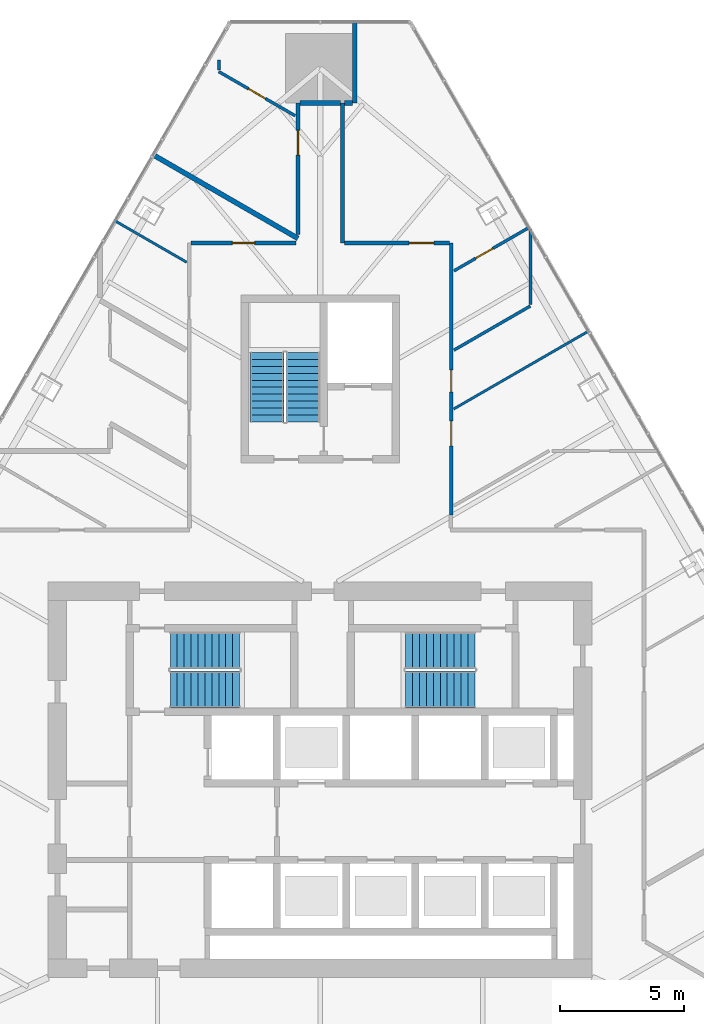
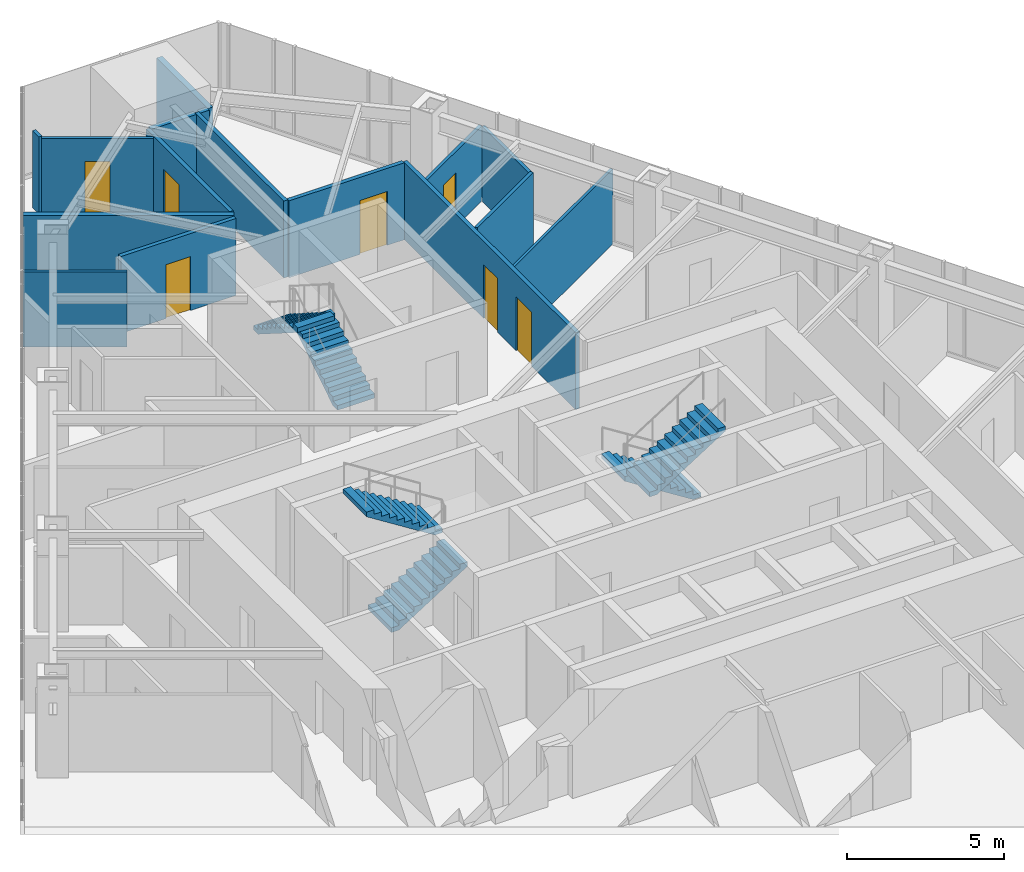
# One storey, part 22 of 24: 16 walls, 7 doors, 6 stair flights, 7 openings, 3 elements without a shape of their own.
"""IFC4 building model written with IfcOpenShell, lengths in metres."""

from ifc_helpers import new_model, si_unit, direction, frame, frame_2d, origin, place, context, subcontext, project, spatial, polyline, rectangle, outline, extrude, material, layer, layer_set, type_object, element, fill, aggregate, save


model = new_model("IFC4")

# Units and contexts
model_context = context("Model", 3, precision=1e-05, world=origin(), true_north=direction((0.0, 1.0)))
body_context = subcontext(model_context, "Body", "Model", "MODEL_VIEW")
ifc_project = project(units=[si_unit("LENGTHUNIT", "METRE"), si_unit("AREAUNIT", "SQUARE_METRE"), si_unit("VOLUMEUNIT", "CUBIC_METRE"), si_unit("PLANEANGLEUNIT", "RADIAN"), si_unit("MASSUNIT", "GRAM", prefix="KILO")], contexts=[model_context])

# Site, building, storey
site_placement = place(None, origin())
site = spatial("IfcSite", under=ifc_project, at=site_placement, CompositionType="ELEMENT")
building_placement = place(site_placement, origin())
building = spatial("IfcBuilding", under=site, at=building_placement, Name="Firuza Gate Tower and Library", CompositionType="ELEMENT")
storey_placement = place(building_placement, frame((0.0, 0.0, 237.699951171875)))
storey = spatial("IfcBuildingStorey", under=building, at=storey_placement, Name="L56", CompositionType="ELEMENT", Elevation=237.699951171875)

# Wall, opening, door
ifc_material_1 = material(Name="Gypsum board partition")
ifc_layer_1 = layer(ifc_material_1, 0.14990234375)
ifc_layer_set_1 = layer_set([ifc_layer_1], Name="Corridor wall 150 double board on steel studs")
wall_type_1 = type_object("IfcWallType", Name="Corridor wall 150 double board on steel studs", PredefinedType="PARTITIONING", material=ifc_layer_set_1)
wall_1_placement = place(storey_placement, frame((69.775390625, 96.699951171875, 0.0), z_axis=(0.0, 0.0, 1.0), x_axis=(1.0, 0.0, 0.0)))
wall_1 = element("IfcWall", 1, at=wall_1_placement, inside=storey, type_object=wall_type_1, Name="f:L56:w016", PredefinedType="PARTITIONING", context=body_context, shape_type="SweptSolid", body=[
    extrude(rectangle(XDim=4.24951171875, YDim=0.14990234375, at=frame_2d((2.124755859375, 0.0))), origin(), (0.0, 0.0, 1.0), 3.0),
])
opening_1_placement = place(wall_1_placement, frame((1.6748046875, 0.0, 0.0)))
opening_1 = element("IfcOpeningElement", 2, at=opening_1_placement, cuts=wall_1, Name="Opening L56-11", PredefinedType="OPENING", context=body_context, shape_type="SweptSolid", body=[
    extrude(rectangle(XDim=0.89990234375, YDim=2.10009765625, at=frame_2d((0.449951171875, 1.050048828125))), frame((0.0, 0.0849609375, 0.0), z_axis=(0.0, -1.0, 0.0), x_axis=(1.0, 0.0, 0.0)), (0.0, 0.0, 1.0), 0.169921875),
])
ifc_material_2 = material(Name="Steel door and timber leaf", Category="steel")
door_type_1 = type_object("IfcDoorType", Name="Fire door 900 x 2100 steel frame, timber leaf", OperationType="NOTDEFINED", PredefinedType="DOOR", material=ifc_material_2)
door_1_placement = place(opening_1_placement, origin())
door_1 = element("IfcDoor", 3, at=door_1_placement, inside=storey, type_object=door_type_1, Name="f:L56:d011", OperationType="SINGLE_SWING_LEFT", OverallHeight=2.10009765625, OverallWidth=0.89990234375, PredefinedType="DOOR", context=body_context, shape_type="SweptSolid", body=[
    extrude(rectangle(XDim=0.89990234375, YDim=2.10009765625, at=frame_2d((0.449951171875, 1.050048828125))), frame((0.0, 0.02490234375, 0.0), z_axis=(0.0, -1.0, 0.0), x_axis=(1.0, 0.0, 0.0)), (0.0, 0.0, 1.0), 0.050048828125),
])
fill(opening_1, door_1)

wall_2_placement = place(storey_placement, frame((75.97509765625, 96.699951171875, 0.0), z_axis=(0.0, 0.0, 1.0), x_axis=(1.0, 0.0, 0.0)))
wall_2 = element("IfcWall", 4, at=wall_2_placement, inside=storey, type_object=wall_type_1, Name="f:L56:w017", PredefinedType="PARTITIONING", context=body_context, shape_type="SweptSolid", body=[
    extrude(rectangle(XDim=4.24951171875, YDim=0.14990234375, at=frame_2d((2.124755859375, 0.0))), origin(), (0.0, 0.0, 1.0), 3.0),
])
opening_2_placement = place(wall_2_placement, frame((2.6220703125, 0.0, 0.0)))
opening_2 = element("IfcOpeningElement", 5, at=opening_2_placement, cuts=wall_2, Name="Opening L56-12", PredefinedType="OPENING", context=body_context, shape_type="SweptSolid", body=[
    extrude(rectangle(XDim=1.0, YDim=2.10009765625, at=frame_2d((0.5, 1.050048828125))), frame((0.0, 0.0849609375, 0.0), z_axis=(0.0, -1.0, 0.0), x_axis=(1.0, 0.0, 0.0)), (0.0, 0.0, 1.0), 0.169921875),
])
ifc_material_3 = material(Name="Steel door and timber leaf", Category="steel")
door_type_2 = type_object("IfcDoorType", Name="Fire door 1000 x 2100 steel frame, timber leaf", OperationType="NOTDEFINED", PredefinedType="DOOR", material=ifc_material_3)
door_2_placement = place(opening_2_placement, origin())
door_2 = element("IfcDoor", 6, at=door_2_placement, inside=storey, type_object=door_type_2, Name="f:L56:d012", OperationType="SINGLE_SWING_LEFT", OverallHeight=2.10009765625, OverallWidth=1.0, PredefinedType="DOOR", context=body_context, shape_type="SweptSolid", body=[
    extrude(rectangle(XDim=1.0, YDim=2.10009765625, at=frame_2d((0.5, 1.050048828125))), frame((0.0, 0.02490234375, 0.0), z_axis=(0.0, -1.0, 0.0), x_axis=(1.0, 0.0, 0.0)), (0.0, 0.0, 1.0), 0.050048828125),
])
fill(opening_2, door_2)

# Wall, openings, doors
wall_3_placement = place(storey_placement, frame((80.300048828125, 96.699462890625, 0.0), z_axis=(0.0, 0.0, 1.0), x_axis=(0.0, -1.0, 0.0)))
wall_3 = element("IfcWall", 7, at=wall_3_placement, inside=storey, type_object=wall_type_1, Name="f:L56:w045", PredefinedType="PARTITIONING", context=body_context, shape_type="SweptSolid", body=[
    extrude(rectangle(XDim=10.9990234375, YDim=0.14990234375, at=frame_2d((5.49951171875, 0.0))), origin(), (0.0, 0.0, 1.0), 3.0),
])
opening_3_placement = place(wall_3_placement, frame((5.12939453125, 0.0, 0.0)))
opening_3 = element("IfcOpeningElement", 8, at=opening_3_placement, cuts=wall_3, Name="Opening L56-24", PredefinedType="OPENING", context=body_context, shape_type="SweptSolid", body=[
    extrude(rectangle(XDim=0.89990234375, YDim=2.10009765625, at=frame_2d((0.449951171875, 1.050048828125))), frame((0.0, 0.0849609375, 0.0), z_axis=(0.0, -1.0, 0.0), x_axis=(1.0, 0.0, 0.0)), (0.0, 0.0, 1.0), 0.169921875),
])
opening_4_placement = place(wall_3_placement, frame((7.2021484375, 0.0, 0.0)))
opening_4 = element("IfcOpeningElement", 9, at=opening_4_placement, cuts=wall_3, Name="Opening L56-25", PredefinedType="OPENING", context=body_context, shape_type="SweptSolid", body=[
    extrude(rectangle(XDim=1.0, YDim=2.10009765625, at=frame_2d((0.5, 1.050048828125))), frame((0.0, 0.0849609375, 0.0), z_axis=(0.0, -1.0, 0.0), x_axis=(1.0, 0.0, 0.0)), (0.0, 0.0, 1.0), 0.169921875),
])
door_3_placement = place(opening_4_placement, origin())
door_3 = element("IfcDoor", 10, at=door_3_placement, inside=storey, type_object=door_type_2, Name="f:L56:d025", OperationType="SINGLE_SWING_LEFT", OverallHeight=2.10009765625, OverallWidth=1.0, PredefinedType="DOOR", context=body_context, shape_type="SweptSolid", body=[
    extrude(rectangle(XDim=1.0, YDim=2.10009765625, at=frame_2d((0.5, 1.050048828125))), frame((0.0, 0.02490234375, 0.0), z_axis=(0.0, -1.0, 0.0), x_axis=(1.0, 0.0, 0.0)), (0.0, 0.0, 1.0), 0.050048828125),
])
fill(opening_4, door_3)
door_4_placement = place(opening_3_placement, origin())
door_4 = element("IfcDoor", 11, at=door_4_placement, inside=storey, type_object=door_type_1, Name="f:L56:d024", OperationType="SINGLE_SWING_LEFT", OverallHeight=2.10009765625, OverallWidth=0.89990234375, PredefinedType="DOOR", context=body_context, shape_type="SweptSolid", body=[
    extrude(rectangle(XDim=0.89990234375, YDim=2.10009765625, at=frame_2d((0.449951171875, 1.050048828125))), frame((0.0, 0.02490234375, 0.0), z_axis=(0.0, -1.0, 0.0), x_axis=(1.0, 0.0, 0.0)), (0.0, 0.0, 1.0), 0.050048828125),
])
fill(opening_3, door_4)

# Wall
wall_4_placement = place(storey_placement, frame((75.89990234375, 96.699951171875, 0.0), z_axis=(0.0, 0.0, 1.0), x_axis=(0.0, 1.0, 0.0)))
element("IfcWall", 12, at=wall_4_placement, inside=storey, type_object=wall_type_1, Name="f:L56:w049", PredefinedType="PARTITIONING", context=body_context, shape_type="SweptSolid", body=[
    extrude(rectangle(XDim=5.672607421875, YDim=0.14990234375, at=frame_2d((2.83642578125, 0.0))), origin(), (0.0, 0.0, 1.0), 3.0),
])

# Wall, opening, door
wall_5_placement = place(storey_placement, frame((74.10009765625, 97.050048828125, 0.0), z_axis=(0.0, 0.0, 1.0), x_axis=(0.0, 1.0, 0.0)))
wall_5 = element("IfcWall", 13, at=wall_5_placement, inside=storey, type_object=wall_type_1, Name="f:L56:w052", PredefinedType="PARTITIONING", context=body_context, shape_type="SweptSolid", body=[
    extrude(rectangle(XDim=5.322021484375, YDim=0.14990234375, at=frame_2d((2.6611328125, 0.0))), origin(), (0.0, 0.0, 1.0), 3.0),
])
opening_5_placement = place(wall_5_placement, frame((3.208740234375, 0.0, 0.0)))
opening_5 = element("IfcOpeningElement", 14, at=opening_5_placement, cuts=wall_5, Name="Opening L56-26", PredefinedType="OPENING", context=body_context, shape_type="SweptSolid", body=[
    extrude(rectangle(XDim=1.0, YDim=2.10009765625, at=frame_2d((0.5, 1.050048828125))), frame((0.0, 0.0849609375, 0.0), z_axis=(0.0, -1.0, 0.0), x_axis=(1.0, 0.0, 0.0)), (0.0, 0.0, 1.0), 0.169921875),
])
door_5_placement = place(opening_5_placement, origin())
door_5 = element("IfcDoor", 15, at=door_5_placement, inside=storey, type_object=door_type_2, Name="f:L56:d026", OperationType="SINGLE_SWING_LEFT", OverallHeight=2.10009765625, OverallWidth=1.0, PredefinedType="DOOR", context=body_context, shape_type="SweptSolid", body=[
    extrude(rectangle(XDim=1.0, YDim=2.10009765625, at=frame_2d((0.5, 1.050048828125))), frame((0.0, 0.02490234375, 0.0), z_axis=(0.0, -1.0, 0.0), x_axis=(1.0, 0.0, 0.0)), (0.0, 0.0, 1.0), 0.050048828125),
])
fill(opening_5, door_5)

# Walls
ifc_material_4 = material(Name="Gypsum board partition")
ifc_layer_2 = layer(ifc_material_4, 0.199951171875)
ifc_layer_set_2 = layer_set([ifc_layer_2], Name="Demising wall 200 acoustic double stud")
wall_type_2 = type_object("IfcWallType", Name="Demising wall 200 acoustic double stud", PredefinedType="PARTITIONING", material=ifc_layer_set_2)
wall_6_placement = place(storey_placement, frame((74.175537109375, 102.373046875, 0.0), z_axis=(0.0, 0.0, 1.0), x_axis=(1.0, 0.0, 0.0)))
element("IfcWall", 16, at=wall_6_placement, inside=storey, type_object=wall_type_2, Name="f:L56:w018", PredefinedType="PARTITIONING", context=body_context, shape_type="SweptSolid", body=[
    extrude(rectangle(XDim=1.6494140625, YDim=0.199951171875, at=frame_2d((0.82470703125, 0.0))), origin(), (0.0, 0.0, 1.0), 2.9970703125),
])
wall_7_placement = place(storey_placement, frame((76.39990234375, 102.373046875, 0.0), z_axis=(0.0, 0.0, 1.0), x_axis=(0.0, 1.0, 0.0)))
element("IfcWall", 17, at=wall_7_placement, inside=storey, type_object=wall_type_2, Name="f:L56:w048", PredefinedType="PARTITIONING", context=body_context, shape_type="SweptSolid", body=[
    extrude(rectangle(XDim=3.259521484375, YDim=0.199951171875, at=frame_2d((1.6298828125, 0.0))), origin(), (0.0, 0.0, 1.0), 3.0),
])
wall_8_placement = place(storey_placement, frame((74.099853515625, 96.889892578125, 0.0), z_axis=(0.0, 0.0, 1.0), x_axis=(-0.866036585879, 0.499980631543, 0.0)))
element("IfcWall", 18, at=wall_8_placement, inside=storey, type_object=wall_type_2, Name="f:L56:w074", PredefinedType="PARTITIONING", context=body_context, shape_type="SweptSolid", body=[
    extrude(rectangle(XDim=6.739501953125, YDim=0.199951171875, at=frame_2d((3.36962890625, 0.0))), origin(), (0.0, 0.0, 1.0), 3.0),
])
wall_9_placement = place(storey_placement, frame((75.97509765625, 102.373046875, 0.0), z_axis=(0.0, 0.0, 1.0), x_axis=(1.0, 0.0, 0.0)))
element("IfcWall", 19, at=wall_9_placement, inside=storey, type_object=wall_type_2, Name="f:L56:w095", PredefinedType="PARTITIONING", context=body_context, shape_type="SweptSolid", body=[
    extrude(rectangle(XDim=0.324462890625, YDim=0.199951171875, at=frame_2d((0.162109375, 0.0))), origin(), (0.0, 0.0, 1.0), 3.0),
])
ifc_material_5 = material(Name="Gypsum board partition")
ifc_layer_3 = layer(ifc_material_5, 0.10009765625)
ifc_layer_set_3 = layer_set([ifc_layer_3], Name="Partition 100 gypsum board on steel studs")
wall_type_3 = type_object("IfcWallType", Name="Partition 100 gypsum board on steel studs", PredefinedType="PARTITIONING", material=ifc_layer_set_3)
wall_10_placement = place(storey_placement, frame((80.40087890625, 89.990966796875, 0.0), z_axis=(0.0, 0.0, 1.0), x_axis=(0.86602790099, 0.499995674689, 0.0)))
element("IfcWall", 20, at=wall_10_placement, inside=storey, type_object=wall_type_3, Name="f:L56:w032", PredefinedType="PARTITIONING", context=body_context, shape_type="SweptSolid", body=[
    extrude(rectangle(XDim=6.291015625, YDim=0.10009765625, at=frame_2d((3.1455078125, 0.0))), origin(), (0.0, 0.0, 1.0), 2.922119140625),
])
wall_11_placement = place(storey_placement, frame((69.59912109375, 95.92724609375, 0.0), z_axis=(0.0, 0.0, 1.0), x_axis=(-0.866019199568, 0.500010745865, 0.0)))
element("IfcWall", 21, at=wall_11_placement, inside=storey, type_object=wall_type_3, Name="f:L56:w075", PredefinedType="PARTITIONING", context=body_context, shape_type="SweptSolid", body=[
    extrude(rectangle(XDim=3.3232421875, YDim=0.10009765625, at=frame_2d((1.66162109375, 0.0))), origin(), (0.0, 0.0, 1.0), 2.922119140625),
])
ifc_material_6 = material(Name="Gypsum board partition")
ifc_layer_4 = layer(ifc_material_6, 0.1201171875)
ifc_layer_set_4 = layer_set([ifc_layer_4], Name="Wet-area partition 120 moisture-resistant board")
wall_type_4 = type_object("IfcWallType", Name="Wet-area partition 120 moisture-resistant board", PredefinedType="PARTITIONING", material=ifc_layer_set_4)
wall_12_placement = place(storey_placement, frame((80.40966796875, 92.3701171875, 0.0), z_axis=(0.0, 0.0, 1.0), x_axis=(0.866028357664, 0.499994883695, 0.0)))
element("IfcWall", 22, at=wall_12_placement, inside=storey, type_object=wall_type_4, Name="f:L56:w033", PredefinedType="PARTITIONING", context=body_context, shape_type="SweptSolid", body=[
    extrude(rectangle(XDim=3.568359375, YDim=0.1201171875, at=frame_2d((1.7841796875, 0.0))), origin(), (0.0, 0.0, 1.0), 3.0),
])

# Wall, opening, door
wall_13_placement = place(storey_placement, frame((83.433349609375, 97.3212890625, 0.0), z_axis=(0.0, 0.0, 1.0), x_axis=(-0.866022549299, -0.50000494408, 0.0)))
wall_13 = element("IfcWall", 23, at=wall_13_placement, inside=storey, type_object=wall_type_4, Name="f:L56:w034", PredefinedType="PARTITIONING", context=body_context, shape_type="SweptSolid", body=[
    extrude(rectangle(XDim=3.4912109375, YDim=0.1201171875, at=frame_2d((1.74560546875, 0.0))), origin(), (0.0, 0.0, 1.0), 2.922119140625),
])
opening_6_placement = place(wall_13_placement, frame((1.675537109375, 0.0, 0.0)))
opening_6 = element("IfcOpeningElement", 24, at=opening_6_placement, cuts=wall_13, Name="Opening L56-21", PredefinedType="OPENING", context=body_context, shape_type="SweptSolid", body=[
    extrude(rectangle(XDim=0.800048828125, YDim=2.10009765625, at=frame_2d((0.39990234375, 1.050048828125))), frame((0.0, 0.070068359375, 0.0), z_axis=(0.0, -1.0, 0.0), x_axis=(1.0, 0.0, 0.0)), (0.0, 0.0, 1.0), 0.14013671875),
])
ifc_material_7 = material(Name="Timber door", Category="wood")
door_type_3 = type_object("IfcDoorType", Name="Door 800 x 2100 timber leaf", OperationType="NOTDEFINED", PredefinedType="DOOR", material=ifc_material_7)
door_6_placement = place(opening_6_placement, origin())
door_6 = element("IfcDoor", 25, at=door_6_placement, inside=storey, type_object=door_type_3, Name="f:L56:d021", OperationType="SINGLE_SWING_LEFT", OverallHeight=2.10009765625, OverallWidth=0.800048828125, PredefinedType="DOOR", context=body_context, shape_type="SweptSolid", body=[
    extrude(rectangle(XDim=0.800048828125, YDim=2.10009765625, at=frame_2d((0.39990234375, 1.050048828125))), frame((0.0, 0.02490234375, 0.0), z_axis=(0.0, -1.0, 0.0), x_axis=(1.0, 0.0, 0.0)), (0.0, 0.0, 1.0), 0.050048828125),
])
fill(opening_6, door_6)

# Walls
wall_14_placement = place(storey_placement, frame((83.5, 94.223876953125, 0.0), z_axis=(0.0, 0.0, 1.0), x_axis=(0.0, 1.0, 0.0)))
element("IfcWall", 26, at=wall_14_placement, inside=storey, type_object=wall_type_4, Name="f:L56:w043", PredefinedType="PARTITIONING", context=body_context, shape_type="SweptSolid", body=[
    extrude(rectangle(XDim=3.02197265625, YDim=0.1201171875, at=frame_2d((1.510986328125, 0.0))), origin(), (0.0, 0.0, 1.0), 2.922119140625),
])
wall_15_placement = place(storey_placement, frame((70.89990234375, 103.703125, 0.0), z_axis=(0.0, 0.0, 1.0), x_axis=(0.0, 1.0, 0.0)))
element("IfcWall", 27, at=wall_15_placement, inside=storey, type_object=wall_type_4, Name="f:L56:w055", PredefinedType="PARTITIONING", context=body_context, shape_type="SweptSolid", body=[
    extrude(rectangle(XDim=0.4033203125, YDim=0.1201171875, at=frame_2d((0.20166015625, 0.0))), origin(), (0.0, 0.0, 1.0), 3.0),
])

# Wall, opening, door
wall_16_placement = place(storey_placement, frame((70.900146484375, 103.63427734375, 0.0), z_axis=(0.0, 0.0, 1.0), x_axis=(0.866028357664, -0.499994883695, 0.0)))
wall_16 = element("IfcWall", 28, at=wall_16_placement, inside=storey, type_object=wall_type_4, Name="f:L56:w073", PredefinedType="PARTITIONING", context=body_context, shape_type="SweptSolid", body=[
    extrude(rectangle(XDim=3.568359375, YDim=0.1201171875, at=frame_2d((1.7841796875, 0.0))), origin(), (0.0, 0.0, 1.0), 3.0),
])
opening_7_placement = place(wall_16_placement, frame((1.38427734375, 0.0, 0.0)))
opening_7 = element("IfcOpeningElement", 29, at=opening_7_placement, cuts=wall_16, Name="Opening L56-35", PredefinedType="OPENING", context=body_context, shape_type="SweptSolid", body=[
    extrude(rectangle(XDim=0.800048828125, YDim=2.10009765625, at=frame_2d((0.39990234375, 1.050048828125))), frame((0.0, 0.070068359375, 0.0), z_axis=(0.0, -1.0, 0.0), x_axis=(1.0, 0.0, 0.0)), (0.0, 0.0, 1.0), 0.14013671875),
])
door_7_placement = place(opening_7_placement, origin())
door_7 = element("IfcDoor", 30, at=door_7_placement, inside=storey, type_object=door_type_3, Name="f:L56:d035", OperationType="SINGLE_SWING_LEFT", OverallHeight=2.10009765625, OverallWidth=0.800048828125, PredefinedType="DOOR", context=body_context, shape_type="SweptSolid", body=[
    extrude(rectangle(XDim=0.800048828125, YDim=2.10009765625, at=frame_2d((0.39990234375, 1.050048828125))), frame((0.0, 0.02490234375, 0.0), z_axis=(0.0, -1.0, 0.0), x_axis=(1.0, 0.0, 0.0)), (0.0, 0.0, 1.0), 0.050048828125),
])
fill(opening_7, door_7)

# Stair, stair flights
ifc_material_8 = material(Name="Concrete C35/45", Category="concrete")
stair_type_1 = type_object("IfcStairType", Name="Exit stair ST16", PredefinedType="HALF_TURN_STAIR", material=ifc_material_8)
placement = place(storey_placement, origin())
stair_1 = element("IfcStair", 31, at=placement, inside=storey, type_object=stair_type_1, Name="L56 Stair ST3", PredefinedType="HALF_TURN_STAIR")
ifc_material_9 = material(Name="Concrete C35/45", Category="concrete")
stair_flight_type_1 = type_object("IfcStairFlightType", Name="Stair flight 11 risers 177.3 width 1370", PredefinedType="STRAIGHT", material=ifc_material_9)
stair_flight_1_placement = place(storey_placement, frame((74.31494140625, 89.469970703125, 0.0), z_axis=(0.0, 0.0, 1.0), x_axis=(0.0, 1.0, 0.0)))
stair_flight_1 = element("IfcStairFlight", 32, at=stair_flight_1_placement, type_object=stair_flight_type_1, Name="ST3 flight 1", NumberOfRisers=11, NumberOfTreads=10, PredefinedType="STRAIGHT", RiserHeight=0.177272727, TreadLength=0.28, context=body_context, shape_type="SweptSolid", body=[
    extrude(outline(polyline([(0.0, 0.0), (0.0, 0.17724609375), (0.280029296875, 0.17724609375), (0.280029296875, 0.3544921875), (0.56005859375, 0.3544921875), (0.56005859375, 0.53173828125), (0.840087890625, 0.53173828125), (0.840087890625, 0.708984375), (1.1201171875, 0.708984375), (1.1201171875, 0.886474609375), (1.39990234375, 0.886474609375), (1.39990234375, 1.063720703125), (1.679931640625, 1.063720703125), (1.679931640625, 1.240966796875), (1.9599609375, 1.240966796875), (1.9599609375, 1.418212890625), (2.239990234375, 1.418212890625), (2.239990234375, 1.595458984375), (2.52001953125, 1.595458984375), (2.52001953125, 1.772705078125), (2.800048828125, 1.772705078125), (2.800048828125, 1.949951171875), (2.800048828125, 1.59521484375), (0.2802734375, 0.0), (0.0, 0.0)])), frame((0.0, 0.68505859375, 0.0), z_axis=(0.0, -1.0, 0.0), x_axis=(1.0, 0.0, 0.0)), (0.0, 0.0, 1.0), 1.3701171875),
])
stair_flight_2_placement = place(storey_placement, frame((72.844970703125, 92.27001953125, 1.949951171875), z_axis=(0.0, 0.0, 1.0), x_axis=(0.0, -1.0, 0.0)))
stair_flight_2 = element("IfcStairFlight", 33, at=stair_flight_2_placement, type_object=stair_flight_type_1, Name="ST3 flight 2", NumberOfRisers=11, NumberOfTreads=10, PredefinedType="STRAIGHT", RiserHeight=0.177272727, TreadLength=0.28, context=body_context, shape_type="SweptSolid", body=[
    extrude(outline(polyline([(0.0, 0.0), (0.0, 0.17724609375), (0.280029296875, 0.17724609375), (0.280029296875, 0.3544921875), (0.56005859375, 0.3544921875), (0.56005859375, 0.53173828125), (0.840087890625, 0.53173828125), (0.840087890625, 0.708984375), (1.1201171875, 0.708984375), (1.1201171875, 0.886474609375), (1.39990234375, 0.886474609375), (1.39990234375, 1.063720703125), (1.679931640625, 1.063720703125), (1.679931640625, 1.240966796875), (1.9599609375, 1.240966796875), (1.9599609375, 1.418212890625), (2.239990234375, 1.418212890625), (2.239990234375, 1.595458984375), (2.52001953125, 1.595458984375), (2.52001953125, 1.772705078125), (2.800048828125, 1.772705078125), (2.800048828125, 1.949951171875), (2.800048828125, 1.59521484375), (0.2802734375, 0.0), (0.0, 0.0)])), frame((0.0, 0.68505859375, 0.0), z_axis=(0.0, -1.0, 0.0), x_axis=(1.0, 0.0, 0.0)), (0.0, 0.0, 1.0), 1.3701171875),
])
aggregate(stair_1, [stair_flight_1, stair_flight_2])

ifc_material_10 = material(Name="Concrete C35/45", Category="concrete")
stair_type_2 = type_object("IfcStairType", Name="Exit stair ST7", PredefinedType="HALF_TURN_STAIR", material=ifc_material_10)
stair_2 = element("IfcStair", 34, at=placement, inside=storey, type_object=stair_type_2, Name="L56 Stair ST1", PredefinedType="HALF_TURN_STAIR")
ifc_material_11 = material(Name="Concrete C35/45", Category="concrete")
stair_flight_type_2 = type_object("IfcStairFlightType", Name="Stair flight 11 risers 177.3 width 1490", PredefinedType="STRAIGHT", material=ifc_material_11)
stair_flight_3_placement = place(storey_placement, frame((68.93994140625, 78.64501953125, 0.0), z_axis=(0.0, 0.0, 1.0), x_axis=(1.0, 0.0, 0.0)))
stair_flight_3 = element("IfcStairFlight", 35, at=stair_flight_3_placement, type_object=stair_flight_type_2, Name="ST1 flight 1", NumberOfRisers=11, NumberOfTreads=10, PredefinedType="STRAIGHT", RiserHeight=0.177272727, TreadLength=0.28, context=body_context, shape_type="SweptSolid", body=[
    extrude(outline(polyline([(0.0, 0.0), (0.0, 0.17724609375), (0.280029296875, 0.17724609375), (0.280029296875, 0.3544921875), (0.56005859375, 0.3544921875), (0.56005859375, 0.53173828125), (0.840087890625, 0.53173828125), (0.840087890625, 0.708984375), (1.1201171875, 0.708984375), (1.1201171875, 0.886474609375), (1.39990234375, 0.886474609375), (1.39990234375, 1.063720703125), (1.679931640625, 1.063720703125), (1.679931640625, 1.240966796875), (1.9599609375, 1.240966796875), (1.9599609375, 1.418212890625), (2.239990234375, 1.418212890625), (2.239990234375, 1.595458984375), (2.52001953125, 1.595458984375), (2.52001953125, 1.772705078125), (2.800048828125, 1.772705078125), (2.800048828125, 1.949951171875), (2.800048828125, 1.59521484375), (0.2802734375, 0.0), (0.0, 0.0)])), frame((0.0, 0.7451171875, 0.0), z_axis=(0.0, -1.0, 0.0), x_axis=(1.0, 0.0, 0.0)), (0.0, 0.0, 1.0), 1.489990234375),
])
stair_flight_4_placement = place(storey_placement, frame((71.739990234375, 80.235107421875, 1.949951171875), z_axis=(0.0, 0.0, 1.0), x_axis=(-1.0, 0.0, 0.0)))
stair_flight_4 = element("IfcStairFlight", 36, at=stair_flight_4_placement, type_object=stair_flight_type_2, Name="ST1 flight 2", NumberOfRisers=11, NumberOfTreads=10, PredefinedType="STRAIGHT", RiserHeight=0.177272727, TreadLength=0.28, context=body_context, shape_type="SweptSolid", body=[
    extrude(outline(polyline([(0.0, 0.0), (0.0, 0.17724609375), (0.280029296875, 0.17724609375), (0.280029296875, 0.3544921875), (0.56005859375, 0.3544921875), (0.56005859375, 0.53173828125), (0.840087890625, 0.53173828125), (0.840087890625, 0.708984375), (1.1201171875, 0.708984375), (1.1201171875, 0.886474609375), (1.39990234375, 0.886474609375), (1.39990234375, 1.063720703125), (1.679931640625, 1.063720703125), (1.679931640625, 1.240966796875), (1.9599609375, 1.240966796875), (1.9599609375, 1.418212890625), (2.239990234375, 1.418212890625), (2.239990234375, 1.595458984375), (2.52001953125, 1.595458984375), (2.52001953125, 1.772705078125), (2.800048828125, 1.772705078125), (2.800048828125, 1.949951171875), (2.800048828125, 1.59521484375), (0.2802734375, 0.0), (0.0, 0.0)])), frame((0.0, 0.7451171875, 0.0), z_axis=(0.0, -1.0, 0.0), x_axis=(1.0, 0.0, 0.0)), (0.0, 0.0, 1.0), 1.489990234375),
])
aggregate(stair_2, [stair_flight_3, stair_flight_4])

stair_3 = element("IfcStair", 37, at=placement, inside=storey, type_object=stair_type_2, Name="L56 Stair ST2", PredefinedType="HALF_TURN_STAIR")
stair_flight_5_placement = place(storey_placement, frame((81.260009765625, 80.235107421875, 0.0), z_axis=(0.0, 0.0, 1.0), x_axis=(-1.0, 0.0, 0.0)))
stair_flight_5 = element("IfcStairFlight", 38, at=stair_flight_5_placement, type_object=stair_flight_type_2, Name="ST2 flight 1", NumberOfRisers=11, NumberOfTreads=10, PredefinedType="STRAIGHT", RiserHeight=0.177272727, TreadLength=0.28, context=body_context, shape_type="SweptSolid", body=[
    extrude(outline(polyline([(0.0, 0.0), (0.0, 0.17724609375), (0.280029296875, 0.17724609375), (0.280029296875, 0.3544921875), (0.56005859375, 0.3544921875), (0.56005859375, 0.53173828125), (0.840087890625, 0.53173828125), (0.840087890625, 0.708984375), (1.1201171875, 0.708984375), (1.1201171875, 0.886474609375), (1.39990234375, 0.886474609375), (1.39990234375, 1.063720703125), (1.679931640625, 1.063720703125), (1.679931640625, 1.240966796875), (1.9599609375, 1.240966796875), (1.9599609375, 1.418212890625), (2.239990234375, 1.418212890625), (2.239990234375, 1.595458984375), (2.52001953125, 1.595458984375), (2.52001953125, 1.772705078125), (2.800048828125, 1.772705078125), (2.800048828125, 1.949951171875), (2.800048828125, 1.59521484375), (0.2802734375, 0.0), (0.0, 0.0)])), frame((0.0, 0.7451171875, 0.0), z_axis=(0.0, -1.0, 0.0), x_axis=(1.0, 0.0, 0.0)), (0.0, 0.0, 1.0), 1.489990234375),
])
stair_flight_6_placement = place(storey_placement, frame((78.4599609375, 78.64501953125, 1.949951171875), z_axis=(0.0, 0.0, 1.0), x_axis=(1.0, 0.0, 0.0)))
stair_flight_6 = element("IfcStairFlight", 39, at=stair_flight_6_placement, type_object=stair_flight_type_2, Name="ST2 flight 2", NumberOfRisers=11, NumberOfTreads=10, PredefinedType="STRAIGHT", RiserHeight=0.177272727, TreadLength=0.28, context=body_context, shape_type="SweptSolid", body=[
    extrude(outline(polyline([(0.0, 0.0), (0.0, 0.17724609375), (0.280029296875, 0.17724609375), (0.280029296875, 0.3544921875), (0.56005859375, 0.3544921875), (0.56005859375, 0.53173828125), (0.840087890625, 0.53173828125), (0.840087890625, 0.708984375), (1.1201171875, 0.708984375), (1.1201171875, 0.886474609375), (1.39990234375, 0.886474609375), (1.39990234375, 1.063720703125), (1.679931640625, 1.063720703125), (1.679931640625, 1.240966796875), (1.9599609375, 1.240966796875), (1.9599609375, 1.418212890625), (2.239990234375, 1.418212890625), (2.239990234375, 1.595458984375), (2.52001953125, 1.595458984375), (2.52001953125, 1.772705078125), (2.800048828125, 1.772705078125), (2.800048828125, 1.949951171875), (2.800048828125, 1.59521484375), (0.2802734375, 0.0), (0.0, 0.0)])), frame((0.0, 0.7451171875, 0.0), z_axis=(0.0, -1.0, 0.0), x_axis=(1.0, 0.0, 0.0)), (0.0, 0.0, 1.0), 1.489990234375),
])
aggregate(stair_3, [stair_flight_5, stair_flight_6])

save(model, "model.ifc")
